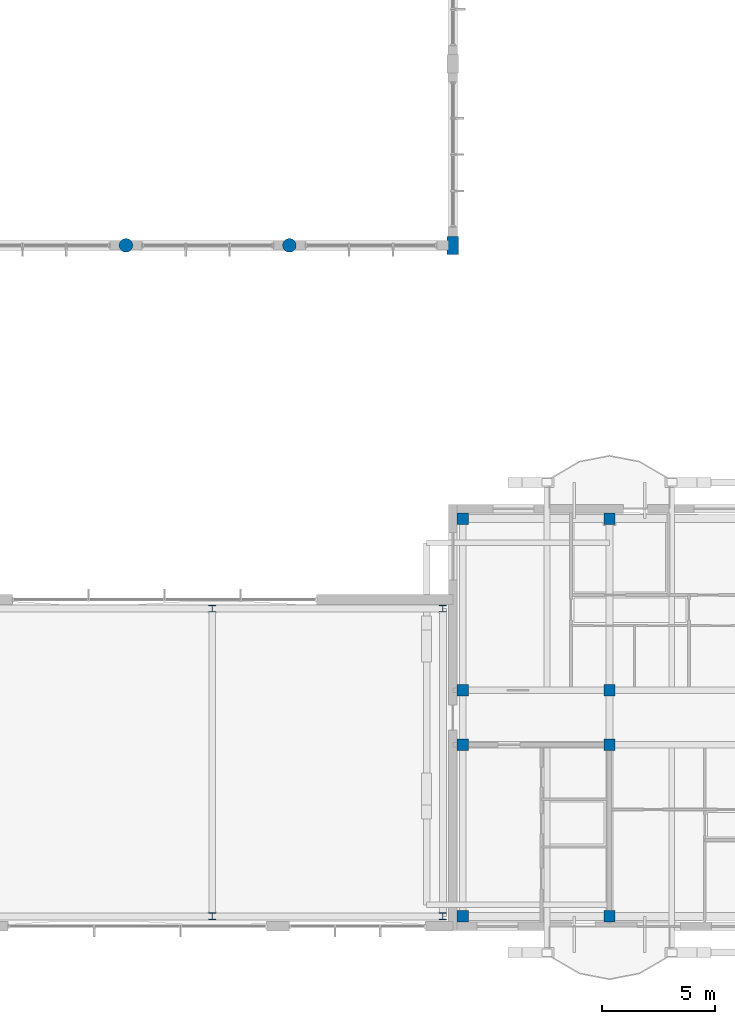
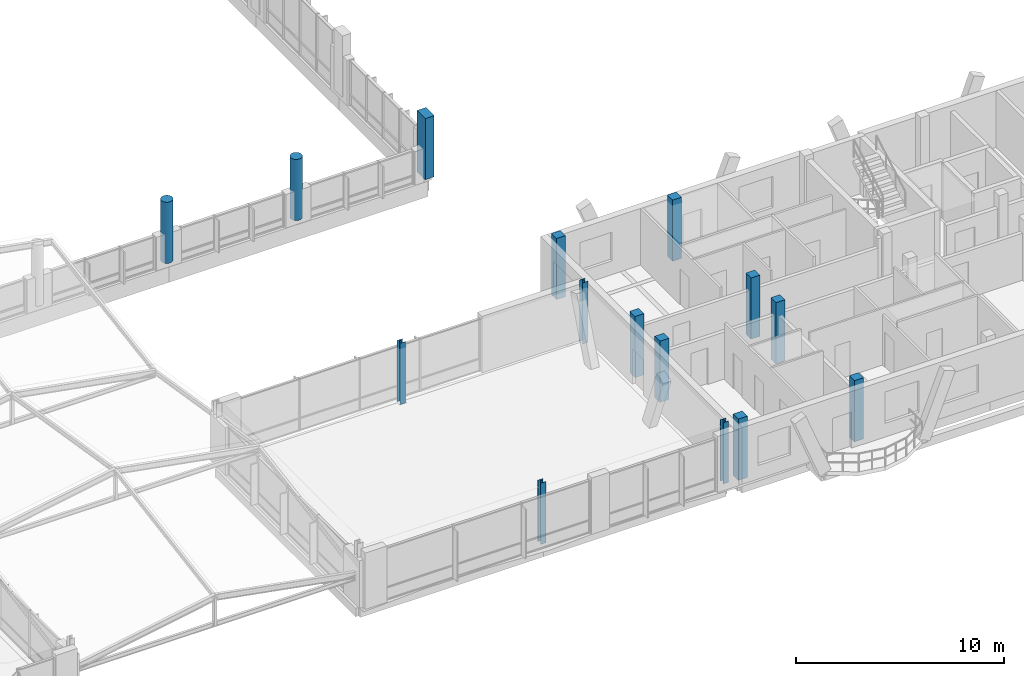
# One storey, part 5 of 189: 15 columns.
"""IFC4 building model written with IfcOpenShell, lengths in metres."""

from ifc_helpers import new_model, si_unit, direction, frame, origin, origin_2d, place, context, subcontext, project, spatial, rectangle, circle, i_section, extrude, material, material_profile, profile_set, type_object, element, save


model = new_model("IFC4")

# Units and contexts
model_context = context("Model", 3, precision=1e-05, world=origin(), true_north=direction((0.0, 1.0)))
body_context = subcontext(model_context, "Body", "Model", "MODEL_VIEW")
ifc_project = project(units=[si_unit("LENGTHUNIT", "METRE"), si_unit("AREAUNIT", "SQUARE_METRE"), si_unit("VOLUMEUNIT", "CUBIC_METRE"), si_unit("PLANEANGLEUNIT", "RADIAN"), si_unit("MASSUNIT", "GRAM", prefix="KILO")], contexts=[model_context])

# Site, building, storey
site_placement = place(None, origin())
site = spatial("IfcSite", under=ifc_project, at=site_placement, CompositionType="ELEMENT")
building_placement = place(site_placement, origin())
building = spatial("IfcBuilding", under=site, at=building_placement, Name="Zavelmont Quarter", CompositionType="ELEMENT")
storey_placement = place(building_placement, frame((0.0, 0.0, 4.39990234375)))
storey = spatial("IfcBuildingStorey", under=building, at=storey_placement, Name="L01", CompositionType="ELEMENT", Elevation=4.39990234375)

# Columns
ifc_material_1 = material(Name="Concrete C40/50", Category="concrete")
ifc_material_profile_1 = material_profile(ifc_material_1, rectangle(XDim=0.5, YDim=0.5, at=origin_2d()), Name="RC500X500")
ifc_profile_set_1 = profile_set([ifc_material_profile_1], Name="Concrete C40/50")
column_type_1 = type_object("IfcColumnType", Name="CL03", PredefinedType="COLUMN", material=ifc_profile_set_1)
for number, where, z_axis, x_axis, name in (
    (1, (113.239990234375, 0.43994140625, 0.0), (0.0, 0.0, 1.0), (1.0, 0.0, 0.0), "L01 column CL03 at 17/A"),
    (2, (113.239990234375, 8.0, 0.0), (0.0, 0.0, 1.0), (1.0, 0.0, 0.0), "L01 column CL03 at 17/B"),
    (3, (113.239990234375, 10.39990234375, 0.0), (0.0, 0.0, 1.0), (1.0, 0.0, 0.0), "L01 column CL03 at 17/C"),
    (4, (113.239990234375, 17.9599609375, 0.0), (0.0, 0.0, 1.0), (1.0, 0.0, 0.0), "L01 column CL03 at 17/D"),
    (5, (119.699951171875, 0.43994140625, 0.0), (0.0, 0.0, 1.0), (1.0, 0.0, 0.0), "L01 column CL03 at 18/A"),
    (6, (119.699951171875, 8.0, 0.0), (0.0, 0.0, 1.0), (1.0, 0.0, 0.0), "L01 column CL03 at 18/B"),
    (7, (119.699951171875, 10.39990234375, 0.0), (0.0, 0.0, 1.0), (1.0, 0.0, 0.0), "L01 column CL03 at 18/C"),
    (8, (119.699951171875, 17.9599609375, 0.0), (0.0, 0.0, 1.0), (1.0, 0.0, 0.0), "L01 column CL03 at 18/D"),
):
    element("IfcColumn", number, at=place(storey_placement, frame(where, z_axis=z_axis, x_axis=x_axis)), inside=storey, type_object=column_type_1, Name=name, PredefinedType="COLUMN", context=body_context, shape_type="SweptSolid", body=[
        extrude(rectangle(XDim=0.5, YDim=0.5, at=origin_2d()), origin(), (0.0, 0.0, 1.0), 3.60009765625),
    ])
ifc_material_profile_2 = material_profile(ifc_material_1, rectangle(XDim=0.5, YDim=0.800048828125, at=origin_2d()), Name="RC500X800")
ifc_profile_set_2 = profile_set([ifc_material_profile_2], Name="Concrete C40/50")
column_type_2 = type_object("IfcColumnType", Name="CL07", PredefinedType="COLUMN", material=ifc_profile_set_2)
column_placement = place(storey_placement, frame((112.800048828125, 30.0, 0.0), z_axis=(0.0, 0.0, 1.0), x_axis=(1.0, 0.0, 0.0)))
element("IfcColumn", 9, at=column_placement, inside=storey, type_object=column_type_2, Name="L01 column CL07 at 17/F", PredefinedType="COLUMN", context=body_context, shape_type="SweptSolid", body=[
    extrude(rectangle(XDim=0.5, YDim=0.800048828125, at=origin_2d()), origin(), (0.0, 0.0, 1.0), 3.60009765625),
])
ifc_material_profile_3 = material_profile(ifc_material_1, circle(Radius=0.300048828125, at=origin_2d()), Name="CHD600")
ifc_profile_set_3 = profile_set([ifc_material_profile_3], Name="Concrete C40/50")
column_type_3 = type_object("IfcColumnType", Name="CL08", PredefinedType="COLUMN", material=ifc_profile_set_3)
for number, where, z_axis, x_axis, name in (
    (10, (98.39990234375, 30.0, 0.0), (0.0, 0.0, 1.0), (1.0, 0.0, 0.0), "L01 column CL08 at 15/F"),
    (11, (105.60009765625, 30.0, 0.0), (0.0, 0.0, 1.0), (1.0, 0.0, 0.0), "L01 column CL08 at 16/F"),
):
    element("IfcColumn", number, at=place(storey_placement, frame(where, z_axis=z_axis, x_axis=x_axis)), inside=storey, type_object=column_type_3, Name=name, PredefinedType="COLUMN", context=body_context, shape_type="SweptSolid", body=[
        extrude(circle(Radius=0.300048828125, at=origin_2d()), origin(), (0.0, 0.0, 1.0), 3.60009765625),
    ])
ifc_material_2 = material(Name="Steel S355", Category="steel")
ifc_material_profile_4 = material_profile(ifc_material_2, i_section(OverallWidth=0.300048828125, OverallDepth=0.300048828125, WebThickness=0.010986328125, FlangeThickness=0.01904296875, at=origin_2d()), Name="HEB 300")
ifc_profile_set_4 = profile_set([ifc_material_profile_4], Name="Steel S355")
column_type_4 = type_object("IfcColumnType", Name="CL10", PredefinedType="COLUMN", material=ifc_profile_set_4)
for number, where, z_axis, x_axis, name in (
    (12, (102.199951171875, 0.43994140625, 0.0), (0.0, 0.0, 1.0), (1.0, 0.0, 0.0), "L01 column CL10 at 16/A"),
    (13, (102.199951171875, 14.0, 0.0), (0.0, 0.0, 1.0), (1.0, 0.0, 0.0), "L01 column CL10 at 16/C"),
    (14, (112.360107421875, 0.43994140625, 0.0), (0.0, 0.0, 1.0), (1.0, 0.0, 0.0), "L01 column CL10 at 17/A"),
    (15, (112.360107421875, 14.0, 0.0), (0.0, 0.0, 1.0), (1.0, 0.0, 0.0), "L01 column CL10 at 17/C"),
):
    element("IfcColumn", number, at=place(storey_placement, frame(where, z_axis=z_axis, x_axis=x_axis)), inside=storey, type_object=column_type_4, Name=name, PredefinedType="COLUMN", context=body_context, shape_type="SweptSolid", body=[
        extrude(i_section(OverallWidth=0.300048828125, OverallDepth=0.300048828125, WebThickness=0.010986328125, FlangeThickness=0.01904296875, at=origin_2d()), origin(), (0.0, 0.0, 1.0), 3.60009765625),
    ])

save(model, "model.ifc")
